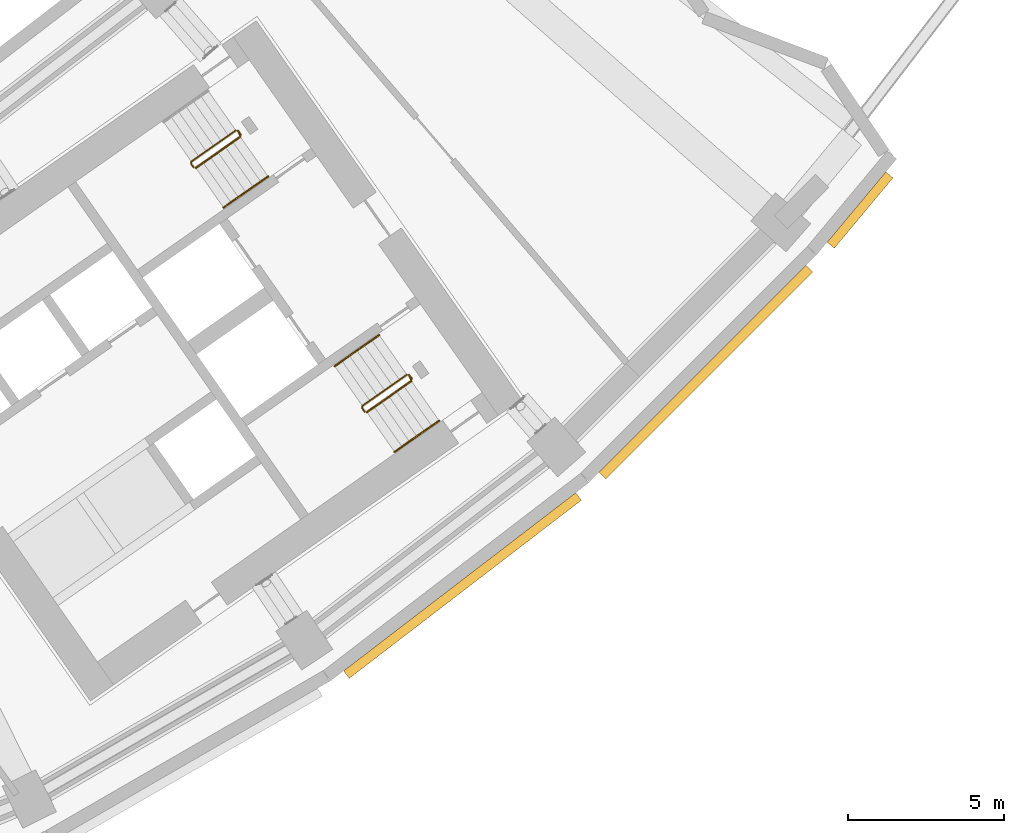
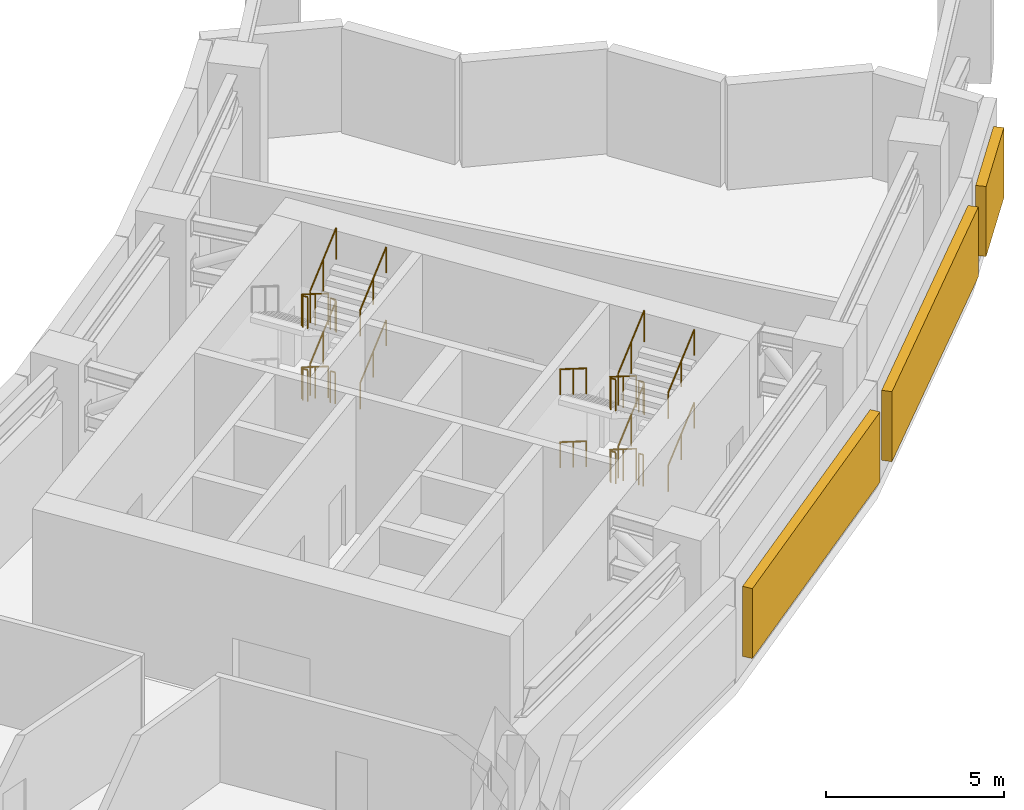
# One storey, part 25 of 25: 16 railings, 3 shading devices.
"""IFC4 building model written with IfcOpenShell, lengths in metres."""

from ifc_helpers import new_model, si_unit, direction, frame, origin, origin_2d, place, context, subcontext, project, spatial, rectangle, circle, extrude, material, type_object, element, save


model = new_model("IFC4")

# Units and contexts
model_context = context("Model", 3, precision=1e-05, world=origin(), true_north=direction((0.0, 1.0)))
body_context = subcontext(model_context, "Body", "Model", "MODEL_VIEW")
ifc_project = project(units=[si_unit("LENGTHUNIT", "METRE"), si_unit("AREAUNIT", "SQUARE_METRE"), si_unit("VOLUMEUNIT", "CUBIC_METRE"), si_unit("PLANEANGLEUNIT", "RADIAN"), si_unit("MASSUNIT", "GRAM", prefix="KILO")], contexts=[model_context])

# Site, building, storey
site_placement = place(None, origin())
site = spatial("IfcSite", under=ifc_project, at=site_placement, CompositionType="ELEMENT")
building_placement = place(site_placement, origin())
building = spatial("IfcBuilding", under=site, at=building_placement, Name="Qamariyya Broadcast Tower", CompositionType="ELEMENT")
storey_placement = place(building_placement, frame((0.0, 0.0, 144.300048828125)))
storey = spatial("IfcBuildingStorey", under=building, at=storey_placement, Name="L33", CompositionType="ELEMENT", Elevation=144.300048828125)

# Railings
ifc_material_1 = material(Name="Painted steel", Category="steel")
railing_type_1 = type_object("IfcRailingType", Name="Stair guard", PredefinedType="GUARDRAIL", material=ifc_material_1)
railing_1_placement = place(storey_placement, frame((41.003173828125, -48.320068359375, 0.178466796875)))
element("IfcRailing", 1, at=railing_1_placement, inside=storey, type_object=railing_type_1, Name="L33 ST-E2 stair guard 1", PredefinedType="GUARDRAIL", context=body_context, shape_type="SweptSolid", body=[
    extrude(circle(Radius=0.02392578125, at=origin_2d()), frame((0.0, 0.0, 1.076171875), z_axis=(-0.69748900342, -0.488409565944, 0.52437122919), x_axis=(0.573594173421, -0.819139624372, 0.0)), (0.0, 0.0, 1.0), 2.04345703125),
    extrude(circle(Radius=0.02392578125, at=origin_2d()), frame((-1.42529296875, -0.998046875, 2.1474609375), z_axis=(-0.172799478008, -0.984957024646, 0.0), x_axis=(0.984957024646, -0.172799478008, 0.0)), (0.0, 0.0, 1.0), 0.070556640625),
    extrude(circle(Radius=0.02392578125, at=origin_2d()), frame((-1.4375, -1.067626953125, 2.1474609375), z_axis=(0.573353020881, -0.819308436089, 0.0), x_axis=(0.819308436089, 0.573353020881, 0.0)), (0.0, 0.0, 1.0), 0.14990234375),
    extrude(circle(Radius=0.02099609375, at=origin_2d()), origin(), (0.0, 0.0, 1.0), 1.052001953125),
    extrude(circle(Radius=0.02099609375, at=origin_2d()), frame((-0.712646484375, -0.4990234375, 0.53564453125)), (0.0, 0.0, 1.0), 1.052001953125),
    extrude(circle(Radius=0.02099609375, at=origin_2d()), frame((-1.42529296875, -0.998046875, 1.071533203125)), (0.0, 0.0, 1.0), 1.052001953125),
    extrude(circle(Radius=0.02099609375, at=origin_2d()), frame((-1.4375, -1.067626953125, 1.071533203125)), (0.0, 0.0, 1.0), 1.052001953125),
    extrude(circle(Radius=0.02099609375, at=origin_2d()), frame((-1.3515625, -1.1904296875, 1.071533203125)), (0.0, 0.0, 1.0), 1.052001953125),
])
railing_2_placement = place(storey_placement, frame((39.721435546875, -49.52294921875, 1.428466796875)))
element("IfcRailing", 2, at=railing_2_placement, inside=storey, type_object=railing_type_1, Name="L33 ST-E2 stair guard 2", PredefinedType="GUARDRAIL", context=body_context, shape_type="SweptSolid", body=[
    extrude(circle(Radius=0.02392578125, at=origin_2d()), frame((0.0, 0.0, 1.076171875), z_axis=(0.69748900342, 0.488409565944, 0.52437122919), x_axis=(-0.573594173421, 0.819139624372, 0.0)), (0.0, 0.0, 1.0), 2.04345703125),
    extrude(circle(Radius=0.02392578125, at=origin_2d()), frame((1.42529296875, 0.998046875, 2.1474609375), z_axis=(-0.35747155403, 0.93392402692, 0.0), x_axis=(-0.93392402692, -0.35747155403, 0.0)), (0.0, 0.0, 1.0), 0.206298828125),
    extrude(circle(Radius=0.02392578125, at=origin_2d()), frame((1.3515625, 1.190673828125, 2.1474609375), z_axis=(0.572588637393, -0.819842821722, 0.0), x_axis=(0.819842821722, 0.572588637393, 0.0)), (0.0, 0.0, 1.0), 0.150146484375),
    extrude(circle(Radius=0.02099609375, at=origin_2d()), origin(), (0.0, 0.0, 1.0), 1.052001953125),
    extrude(circle(Radius=0.02099609375, at=origin_2d()), frame((0.712646484375, 0.4990234375, 0.53564453125)), (0.0, 0.0, 1.0), 1.052001953125),
    extrude(circle(Radius=0.02099609375, at=origin_2d()), frame((1.42529296875, 0.998046875, 1.071533203125)), (0.0, 0.0, 1.0), 1.052001953125),
    extrude(circle(Radius=0.02099609375, at=origin_2d()), frame((1.3515625, 1.190673828125, 1.071533203125)), (0.0, 0.0, 1.0), 1.052001953125),
    extrude(circle(Radius=0.02099609375, at=origin_2d()), frame((1.4375, 1.067626953125, 1.071533203125)), (0.0, 0.0, 1.0), 1.052001953125),
])
railing_3_placement = place(storey_placement, frame((41.003173828125, -48.320068359375, 2.678466796875)))
element("IfcRailing", 3, at=railing_3_placement, inside=storey, type_object=railing_type_1, Name="L33 ST-E2 stair guard 3", PredefinedType="GUARDRAIL", context=body_context, shape_type="SweptSolid", body=[
    extrude(circle(Radius=0.02392578125, at=origin_2d()), frame((0.0, 0.0, 1.076171875), z_axis=(-0.69748900342, -0.488409565944, 0.52437122919), x_axis=(0.573594173421, -0.819139624372, 0.0)), (0.0, 0.0, 1.0), 2.04345703125),
    extrude(circle(Radius=0.02392578125, at=origin_2d()), frame((-1.42529296875, -0.998046875, 2.1474609375), z_axis=(-0.172799478008, -0.984957024646, 0.0), x_axis=(0.984957024646, -0.172799478008, 0.0)), (0.0, 0.0, 1.0), 0.070556640625),
    extrude(circle(Radius=0.02392578125, at=origin_2d()), frame((-1.4375, -1.067626953125, 2.1474609375), z_axis=(0.573353020881, -0.819308436089, 0.0), x_axis=(0.819308436089, 0.573353020881, 0.0)), (0.0, 0.0, 1.0), 0.14990234375),
    extrude(circle(Radius=0.02099609375, at=origin_2d()), origin(), (0.0, 0.0, 1.0), 1.052001953125),
    extrude(circle(Radius=0.02099609375, at=origin_2d()), frame((-0.712646484375, -0.4990234375, 0.53564453125)), (0.0, 0.0, 1.0), 1.052001953125),
    extrude(circle(Radius=0.02099609375, at=origin_2d()), frame((-1.42529296875, -0.998046875, 1.071533203125)), (0.0, 0.0, 1.0), 1.052001953125),
    extrude(circle(Radius=0.02099609375, at=origin_2d()), frame((-1.4375, -1.067626953125, 1.071533203125)), (0.0, 0.0, 1.0), 1.052001953125),
    extrude(circle(Radius=0.02099609375, at=origin_2d()), frame((-1.3515625, -1.1904296875, 1.071533203125)), (0.0, 0.0, 1.0), 1.052001953125),
])
railing_4_placement = place(storey_placement, frame((39.721435546875, -49.52294921875, 3.928466796875)))
element("IfcRailing", 4, at=railing_4_placement, inside=storey, type_object=railing_type_1, Name="L33 ST-E2 stair guard 4", PredefinedType="GUARDRAIL", context=body_context, shape_type="SweptSolid", body=[
    extrude(circle(Radius=0.02392578125, at=origin_2d()), frame((0.0, 0.0, 1.076171875), z_axis=(0.69748900342, 0.488409565944, 0.52437122919), x_axis=(-0.573594173421, 0.819139624372, 0.0)), (0.0, 0.0, 1.0), 2.04345703125),
    extrude(circle(Radius=0.02099609375, at=origin_2d()), origin(), (0.0, 0.0, 1.0), 1.052001953125),
    extrude(circle(Radius=0.02099609375, at=origin_2d()), frame((0.712646484375, 0.4990234375, 0.53564453125)), (0.0, 0.0, 1.0), 1.052001953125),
    extrude(circle(Radius=0.02099609375, at=origin_2d()), frame((1.42529296875, 0.998046875, 1.071533203125)), (0.0, 0.0, 1.0), 1.052001953125),
])
railing_5_placement = place(storey_placement, frame((41.072998046875, -48.332275390625, 0.0)))
element("IfcRailing", 5, at=railing_5_placement, inside=storey, type_object=railing_type_1, Name="L33 ST-E2 stair guard 5", PredefinedType="GUARDRAIL", context=body_context, shape_type="SweptSolid", body=[
    extrude(circle(Radius=0.02392578125, at=origin_2d()), frame((0.0, 0.0, 1.076171875), z_axis=(0.572588637393, -0.819842821722, 0.0), x_axis=(0.819842821722, 0.572588637393, 0.0)), (0.0, 0.0, 1.0), 0.150146484375),
    extrude(circle(Radius=0.02099609375, at=origin_2d()), origin(), (0.0, 0.0, 1.0), 1.052001953125),
    extrude(circle(Radius=0.02099609375, at=origin_2d()), frame((0.0859375, -0.123046875, 0.0)), (0.0, 0.0, 1.0), 1.052001953125),
])
railing_6_placement = place(storey_placement, frame((46.48095703125, -56.14306640625, 0.178466796875)))
element("IfcRailing", 6, at=railing_6_placement, inside=storey, type_object=railing_type_1, Name="L33 ST-E1 stair guard 1", PredefinedType="GUARDRAIL", context=body_context, shape_type="SweptSolid", body=[
    extrude(circle(Radius=0.02392578125, at=origin_2d()), frame((0.0, 0.0, 1.076171875), z_axis=(-0.69748900342, -0.488409565944, 0.52437122919), x_axis=(0.573594173421, -0.819139624372, 0.0)), (0.0, 0.0, 1.0), 2.04345703125),
    extrude(circle(Radius=0.02392578125, at=origin_2d()), frame((-1.42529296875, -0.998046875, 2.1474609375), z_axis=(-0.176149252506, -0.984363469884, 0.0), x_axis=(0.984363469884, -0.176149252506, 0.0)), (0.0, 0.0, 1.0), 0.07080078125),
    extrude(circle(Radius=0.02392578125, at=origin_2d()), frame((-1.437744140625, -1.067626953125, 2.1474609375), z_axis=(0.574444878118, -0.818543268254, 0.0), x_axis=(0.818543268254, 0.574444878118, 0.0)), (0.0, 0.0, 1.0), 0.150146484375),
    extrude(circle(Radius=0.02099609375, at=origin_2d()), origin(), (0.0, 0.0, 1.0), 1.052001953125),
    extrude(circle(Radius=0.02099609375, at=origin_2d()), frame((-0.712646484375, -0.4990234375, 0.53564453125)), (0.0, 0.0, 1.0), 1.052001953125),
    extrude(circle(Radius=0.02099609375, at=origin_2d()), frame((-1.42529296875, -0.998046875, 1.071533203125)), (0.0, 0.0, 1.0), 1.052001953125),
    extrude(circle(Radius=0.02099609375, at=origin_2d()), frame((-1.437744140625, -1.067626953125, 1.071533203125)), (0.0, 0.0, 1.0), 1.052001953125),
    extrude(circle(Radius=0.02099609375, at=origin_2d()), frame((-1.3515625, -1.1904296875, 1.071533203125)), (0.0, 0.0, 1.0), 1.052001953125),
])
railing_7_placement = place(storey_placement, frame((45.198974609375, -57.345703125, 1.428466796875)))
element("IfcRailing", 7, at=railing_7_placement, inside=storey, type_object=railing_type_1, Name="L33 ST-E1 stair guard 2", PredefinedType="GUARDRAIL", context=body_context, shape_type="SweptSolid", body=[
    extrude(circle(Radius=0.02392578125, at=origin_2d()), frame((0.0, 0.0, 1.076171875), z_axis=(0.69748900342, 0.488409565944, 0.52437122919), x_axis=(-0.573594173421, 0.819139624372, 0.0)), (0.0, 0.0, 1.0), 2.04345703125),
    extrude(circle(Radius=0.02392578125, at=origin_2d()), frame((1.42529296875, 0.998046875, 2.1474609375), z_axis=(-0.357867132547, 0.933772518038, 0.0), x_axis=(-0.933772518038, -0.357867132547, 0.0)), (0.0, 0.0, 1.0), 0.2060546875),
    extrude(circle(Radius=0.02392578125, at=origin_2d()), frame((1.3515625, 1.1904296875, 2.1474609375), z_axis=(0.574444878118, -0.818543268254, 0.0), x_axis=(0.818543268254, 0.574444878118, 0.0)), (0.0, 0.0, 1.0), 0.150146484375),
    extrude(circle(Radius=0.02099609375, at=origin_2d()), origin(), (0.0, 0.0, 1.0), 1.052001953125),
    extrude(circle(Radius=0.02099609375, at=origin_2d()), frame((0.712646484375, 0.4990234375, 0.53564453125)), (0.0, 0.0, 1.0), 1.052001953125),
    extrude(circle(Radius=0.02099609375, at=origin_2d()), frame((1.42529296875, 0.998046875, 1.071533203125)), (0.0, 0.0, 1.0), 1.052001953125),
    extrude(circle(Radius=0.02099609375, at=origin_2d()), frame((1.3515625, 1.1904296875, 1.071533203125)), (0.0, 0.0, 1.0), 1.052001953125),
    extrude(circle(Radius=0.02099609375, at=origin_2d()), frame((1.437744140625, 1.067626953125, 1.071533203125)), (0.0, 0.0, 1.0), 1.052001953125),
])
railing_8_placement = place(storey_placement, frame((46.48095703125, -56.14306640625, 2.678466796875)))
element("IfcRailing", 8, at=railing_8_placement, inside=storey, type_object=railing_type_1, Name="L33 ST-E1 stair guard 3", PredefinedType="GUARDRAIL", context=body_context, shape_type="SweptSolid", body=[
    extrude(circle(Radius=0.02392578125, at=origin_2d()), frame((0.0, 0.0, 1.076171875), z_axis=(-0.69748900342, -0.488409565944, 0.52437122919), x_axis=(0.573594173421, -0.819139624372, 0.0)), (0.0, 0.0, 1.0), 2.04345703125),
    extrude(circle(Radius=0.02392578125, at=origin_2d()), frame((-1.42529296875, -0.998046875, 2.1474609375), z_axis=(-0.176149252506, -0.984363469884, 0.0), x_axis=(0.984363469884, -0.176149252506, 0.0)), (0.0, 0.0, 1.0), 0.07080078125),
    extrude(circle(Radius=0.02392578125, at=origin_2d()), frame((-1.437744140625, -1.067626953125, 2.1474609375), z_axis=(0.574444878118, -0.818543268254, 0.0), x_axis=(0.818543268254, 0.574444878118, 0.0)), (0.0, 0.0, 1.0), 0.150146484375),
    extrude(circle(Radius=0.02099609375, at=origin_2d()), origin(), (0.0, 0.0, 1.0), 1.052001953125),
    extrude(circle(Radius=0.02099609375, at=origin_2d()), frame((-0.712646484375, -0.4990234375, 0.53564453125)), (0.0, 0.0, 1.0), 1.052001953125),
    extrude(circle(Radius=0.02099609375, at=origin_2d()), frame((-1.42529296875, -0.998046875, 1.071533203125)), (0.0, 0.0, 1.0), 1.052001953125),
    extrude(circle(Radius=0.02099609375, at=origin_2d()), frame((-1.437744140625, -1.067626953125, 1.071533203125)), (0.0, 0.0, 1.0), 1.052001953125),
    extrude(circle(Radius=0.02099609375, at=origin_2d()), frame((-1.3515625, -1.1904296875, 1.071533203125)), (0.0, 0.0, 1.0), 1.052001953125),
])
railing_9_placement = place(storey_placement, frame((45.198974609375, -57.345703125, 3.928466796875)))
element("IfcRailing", 9, at=railing_9_placement, inside=storey, type_object=railing_type_1, Name="L33 ST-E1 stair guard 4", PredefinedType="GUARDRAIL", context=body_context, shape_type="SweptSolid", body=[
    extrude(circle(Radius=0.02392578125, at=origin_2d()), frame((0.0, 0.0, 1.076171875), z_axis=(0.69748900342, 0.488409565944, 0.52437122919), x_axis=(-0.573594173421, 0.819139624372, 0.0)), (0.0, 0.0, 1.0), 2.04345703125),
    extrude(circle(Radius=0.02099609375, at=origin_2d()), origin(), (0.0, 0.0, 1.0), 1.052001953125),
    extrude(circle(Radius=0.02099609375, at=origin_2d()), frame((0.712646484375, 0.4990234375, 0.53564453125)), (0.0, 0.0, 1.0), 1.052001953125),
    extrude(circle(Radius=0.02099609375, at=origin_2d()), frame((1.42529296875, 0.998046875, 1.071533203125)), (0.0, 0.0, 1.0), 1.052001953125),
])
railing_10_placement = place(storey_placement, frame((46.550537109375, -56.1552734375, 0.0)))
element("IfcRailing", 10, at=railing_10_placement, inside=storey, type_object=railing_type_1, Name="L33 ST-E1 stair guard 5", PredefinedType="GUARDRAIL", context=body_context, shape_type="SweptSolid", body=[
    extrude(circle(Radius=0.02392578125, at=origin_2d()), frame((0.0, 0.0, 1.076171875), z_axis=(0.574444878118, -0.818543268254, 0.0), x_axis=(0.818543268254, 0.574444878118, 0.0)), (0.0, 0.0, 1.0), 0.150146484375),
    extrude(circle(Radius=0.02099609375, at=origin_2d()), origin(), (0.0, 0.0, 1.0), 1.052001953125),
    extrude(circle(Radius=0.02099609375, at=origin_2d()), frame((0.086181640625, -0.122802734375, 0.0)), (0.0, 0.0, 1.0), 1.052001953125),
])
ifc_material_2 = material(Name="Stainless steel", Category="steel")
railing_type_2 = type_object("IfcRailingType", Name="Stair handrail", PredefinedType="HANDRAIL", material=ifc_material_2)
for number, where, name in (
    (11, (40.6103515625, -50.79248046875, 1.428466796875), "L33 ST-E2 stair handrail 2"),
    (12, (40.6103515625, -50.79248046875, 3.928466796875), "L33 ST-E2 stair handrail 4"),
):
    element("IfcRailing", number, at=place(storey_placement, frame(where)), inside=storey, type_object=railing_type_2, Name=name, PredefinedType="HANDRAIL", context=body_context, shape_type="SweptSolid", body=[
        extrude(circle(Radius=0.02392578125, at=origin_2d()), frame((0.0, 0.0, 0.8759765625), z_axis=(0.69748900342, 0.488409565944, 0.52437122919), x_axis=(-0.573594173421, 0.819139624372, 0.0)), (0.0, 0.0, 1.0), 2.04345703125),
        extrude(circle(Radius=0.02099609375, at=origin_2d()), origin(), (0.0, 0.0, 1.0), 0.851806640625),
        extrude(circle(Radius=0.02099609375, at=origin_2d()), frame((0.712646484375, 0.4990234375, 0.53564453125)), (0.0, 0.0, 1.0), 0.851806640625),
        extrude(circle(Radius=0.02099609375, at=origin_2d()), frame((1.42529296875, 0.998046875, 1.071533203125)), (0.0, 0.0, 1.0), 0.851806640625),
    ])
railing_11_placement = place(storey_placement, frame((45.591796875, -54.873291015625, 0.178466796875)))
element("IfcRailing", 13, at=railing_11_placement, inside=storey, type_object=railing_type_2, Name="L33 ST-E1 stair handrail 1", PredefinedType="HANDRAIL", context=body_context, shape_type="SweptSolid", body=[
    extrude(circle(Radius=0.02392578125, at=origin_2d()), frame((0.0, 0.0, 0.8759765625), z_axis=(-0.69748900342, -0.488409565944, 0.52437122919), x_axis=(0.573594173421, -0.819139624372, 0.0)), (0.0, 0.0, 1.0), 2.04345703125),
    extrude(circle(Radius=0.02099609375, at=origin_2d()), origin(), (0.0, 0.0, 1.0), 0.851806640625),
    extrude(circle(Radius=0.02099609375, at=origin_2d()), frame((-0.712646484375, -0.4990234375, 0.53564453125)), (0.0, 0.0, 1.0), 0.851806640625),
    extrude(circle(Radius=0.02099609375, at=origin_2d()), frame((-1.42529296875, -0.998046875, 1.071533203125)), (0.0, 0.0, 1.0), 0.851806640625),
])
railing_12_placement = place(storey_placement, frame((46.088134765625, -58.615478515625, 1.428466796875)))
element("IfcRailing", 14, at=railing_12_placement, inside=storey, type_object=railing_type_2, Name="L33 ST-E1 stair handrail 2", PredefinedType="HANDRAIL", context=body_context, shape_type="SweptSolid", body=[
    extrude(circle(Radius=0.02392578125, at=origin_2d()), frame((0.0, 0.0, 0.8759765625), z_axis=(0.69748900342, 0.488409565944, 0.52437122919), x_axis=(-0.573594173421, 0.819139624372, 0.0)), (0.0, 0.0, 1.0), 2.04345703125),
    extrude(circle(Radius=0.02099609375, at=origin_2d()), origin(), (0.0, 0.0, 1.0), 0.851806640625),
    extrude(circle(Radius=0.02099609375, at=origin_2d()), frame((0.712646484375, 0.4990234375, 0.53564453125)), (0.0, 0.0, 1.0), 0.851806640625),
    extrude(circle(Radius=0.02099609375, at=origin_2d()), frame((1.42529296875, 0.998046875, 1.071533203125)), (0.0, 0.0, 1.0), 0.851806640625),
])
railing_13_placement = place(storey_placement, frame((45.591796875, -54.873291015625, 2.678466796875)))
element("IfcRailing", 15, at=railing_13_placement, inside=storey, type_object=railing_type_2, Name="L33 ST-E1 stair handrail 3", PredefinedType="HANDRAIL", context=body_context, shape_type="SweptSolid", body=[
    extrude(circle(Radius=0.02392578125, at=origin_2d()), frame((0.0, 0.0, 0.8759765625), z_axis=(-0.69748900342, -0.488409565944, 0.52437122919), x_axis=(0.573594173421, -0.819139624372, 0.0)), (0.0, 0.0, 1.0), 2.04345703125),
    extrude(circle(Radius=0.02099609375, at=origin_2d()), origin(), (0.0, 0.0, 1.0), 0.851806640625),
    extrude(circle(Radius=0.02099609375, at=origin_2d()), frame((-0.712646484375, -0.4990234375, 0.53564453125)), (0.0, 0.0, 1.0), 0.851806640625),
    extrude(circle(Radius=0.02099609375, at=origin_2d()), frame((-1.42529296875, -0.998046875, 1.071533203125)), (0.0, 0.0, 1.0), 0.851806640625),
])
railing_14_placement = place(storey_placement, frame((46.088134765625, -58.615478515625, 3.928466796875)))
element("IfcRailing", 16, at=railing_14_placement, inside=storey, type_object=railing_type_2, Name="L33 ST-E1 stair handrail 4", PredefinedType="HANDRAIL", context=body_context, shape_type="SweptSolid", body=[
    extrude(circle(Radius=0.02392578125, at=origin_2d()), frame((0.0, 0.0, 0.8759765625), z_axis=(0.69748900342, 0.488409565944, 0.52437122919), x_axis=(-0.573594173421, 0.819139624372, 0.0)), (0.0, 0.0, 1.0), 2.04345703125),
    extrude(circle(Radius=0.02099609375, at=origin_2d()), origin(), (0.0, 0.0, 1.0), 0.851806640625),
    extrude(circle(Radius=0.02099609375, at=origin_2d()), frame((0.712646484375, 0.4990234375, 0.53564453125)), (0.0, 0.0, 1.0), 0.851806640625),
    extrude(circle(Radius=0.02099609375, at=origin_2d()), frame((1.42529296875, 0.998046875, 1.071533203125)), (0.0, 0.0, 1.0), 0.851806640625),
])

# Shading devices
ifc_material_3 = material(Name="Glazed terracotta", Category="masonry")
shading_device_type = type_object("IfcShadingDeviceType", Name="Terracotta louvre bank", PredefinedType="USERDEFINED", material=ifc_material_3)
for number, where, z_axis, x_axis, name in (
    (17, (48.2626953125, -62.897216796875, 0.60009765625), (0.0, 0.0, 1.0), (0.793353340291, 0.608761429009, 0.0), "e-lv-L33-14"),
    (18, (56.0595703125, -56.0595703125, 0.60009765625), (0.0, 0.0, 1.0), (0.707106781187, 0.707106781187, 0.0), "e-lv-L33-15"),
):
    element("IfcShadingDevice", number, at=place(storey_placement, frame(where, z_axis=z_axis, x_axis=x_axis)), inside=storey, type_object=shading_device_type, Name=name, ObjectType="LOUVRE", PredefinedType="USERDEFINED", context=body_context, shape_type="SweptSolid", body=[
        extrude(rectangle(XDim=9.373046875, YDim=0.300048828125, at=origin_2d()), origin(), (0.0, 0.0, 1.0), 2.39990234375),
    ])
shading_device_placement = place(storey_placement, frame((60.99609375, -50.871337890625, 0.60009765625), z_axis=(0.0, 0.0, 1.0), x_axis=(0.640491505973, 0.767965253626, 0.0)))
element("IfcShadingDevice", 19, at=shading_device_placement, inside=storey, type_object=shading_device_type, Name="e-lv-L33-16", ObjectType="LOUVRE", PredefinedType="USERDEFINED", context=body_context, shape_type="SweptSolid", body=[
    extrude(rectangle(XDim=2.9345703125, YDim=0.300048828125, at=origin_2d()), origin(), (0.0, 0.0, 1.0), 2.39990234375),
])

save(model, "model.ifc")
